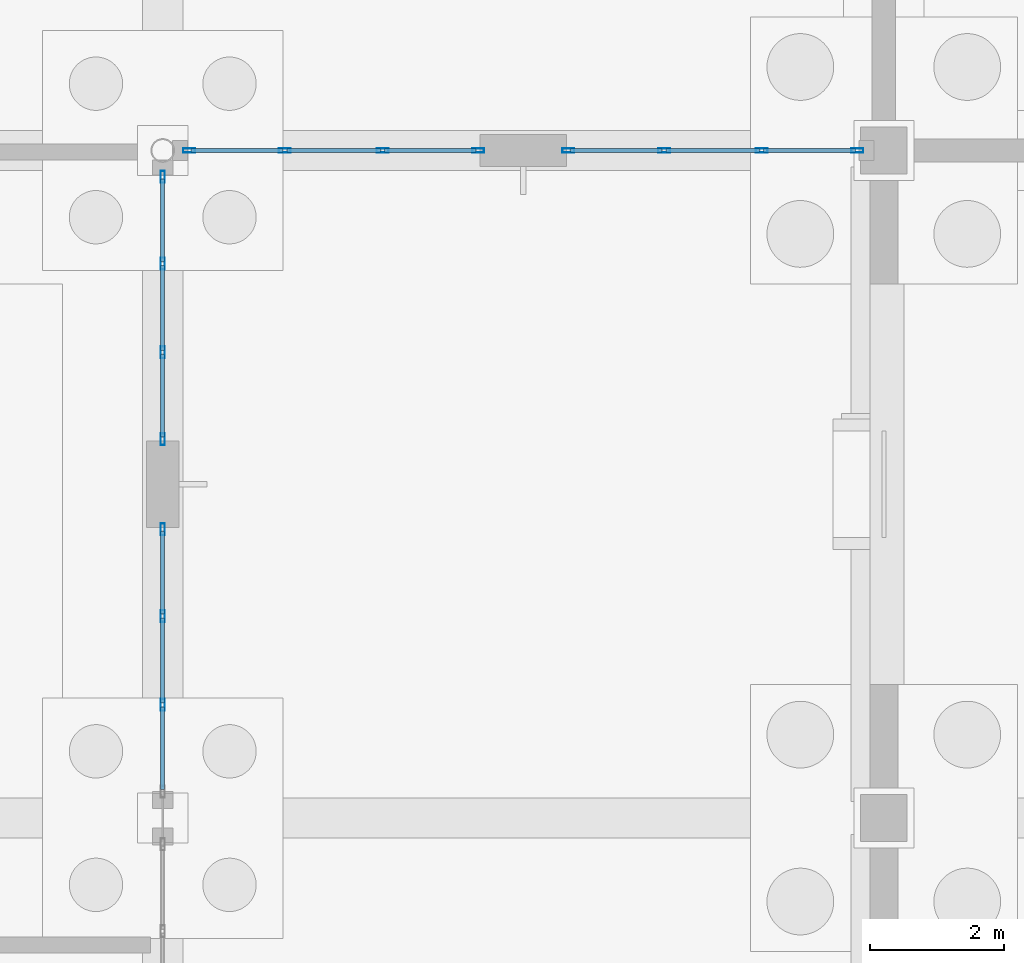
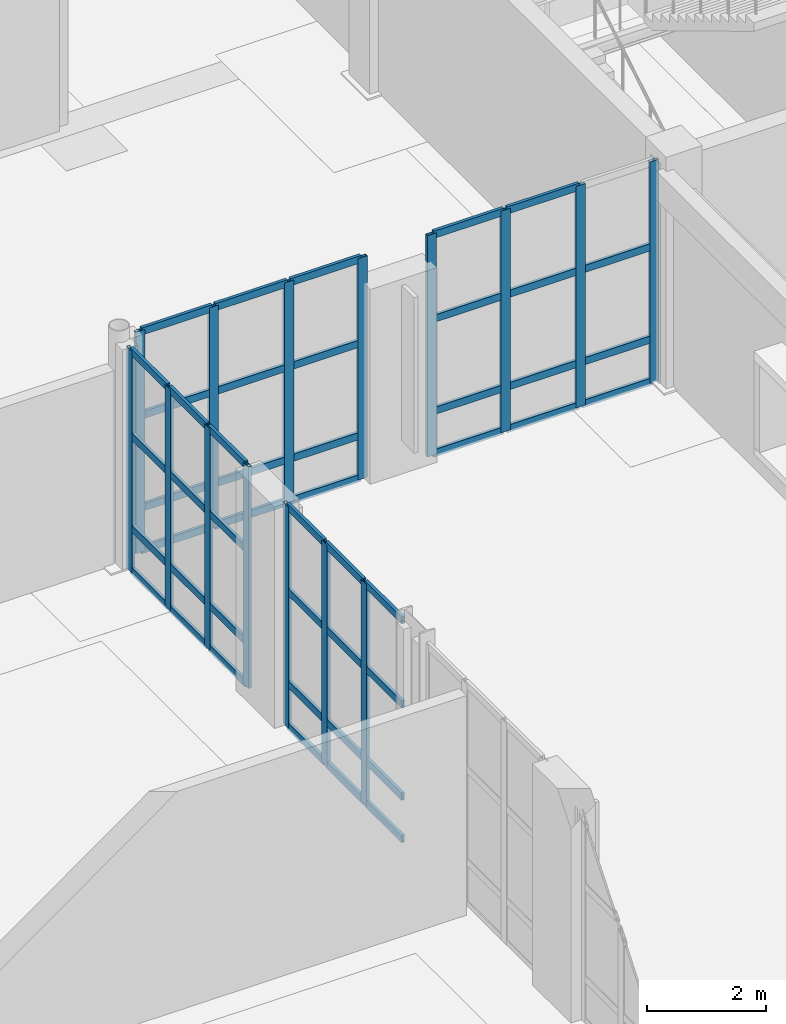
# One storey, part 33 of 73: 62 members, 4 elements without a shape of their own.
"""IFC4 building model written with IfcOpenShell, lengths in metres."""

from ifc_helpers import new_model, si_unit, direction, frame, origin, origin_2d, place, context, subcontext, project, spatial, hollow_rectangle, extrude, material, layer, layer_set, material_profile, profile_set, type_object, element, aggregate, save


model = new_model("IFC4")

# Units and contexts
model_context = context("Model", 3, precision=1e-05, world=origin(), true_north=direction((0.0, 1.0)))
body_context = subcontext(model_context, "Body", "Model", "MODEL_VIEW")
ifc_project = project(units=[si_unit("LENGTHUNIT", "METRE"), si_unit("AREAUNIT", "SQUARE_METRE"), si_unit("VOLUMEUNIT", "CUBIC_METRE"), si_unit("PLANEANGLEUNIT", "RADIAN"), si_unit("MASSUNIT", "GRAM", prefix="KILO")], contexts=[model_context])

# Site, building, storey
site_placement = place(None, origin())
site = spatial("IfcSite", under=ifc_project, at=site_placement, CompositionType="ELEMENT")
building_placement = place(site_placement, origin())
building = spatial("IfcBuilding", under=site, at=building_placement, Name="Tasgan Crest Museum", CompositionType="ELEMENT")
storey_placement = place(building_placement, origin())
storey = spatial("IfcBuildingStorey", under=building, at=storey_placement, Name="L00", CompositionType="ELEMENT", Elevation=0.0)

# Curtain wall, members
ifc_material_1 = material(Name="Triple-Glazed Aluminium Curtain Wall", Category="aluminium")
ifc_layer_1 = layer(ifc_material_1, 0.179931640625, Name="CW-PORCH-Y")
ifc_layer_set_1 = layer_set([ifc_layer_1], Name="Triple-Glazed Aluminium Curtain Wall")
curtain_wall_type_1 = type_object("IfcCurtainWallType", Name="CW-PORCH-Y", PredefinedType="NOTDEFINED", material=ifc_layer_set_1)
curtain_wall_1_placement = place(storey_placement, origin())
curtain_wall_1 = element("IfcCurtainWall", 1, at=curtain_wall_1_placement, inside=storey, type_object=curtain_wall_type_1, Name="Curtain wall L00 009", PredefinedType="NOTDEFINED")
ifc_material_2 = material(Name="Anodised Aluminium", Category="aluminium")
ifc_material_profile_1 = material_profile(ifc_material_2, hollow_rectangle(XDim=0.06494140625, YDim=0.179931640625, WallThickness=0.0048828125, at=origin_2d()), Name="ALU MULLION 180x65x5")
ifc_profile_set_1 = profile_set([ifc_material_profile_1], Name="Anodised Aluminium")
member_type_1 = type_object("IfcMemberType", Name="CW-MULLION-180", PredefinedType="MULLION", material=ifc_profile_set_1)
member_1_placement = place(storey_placement, frame((97.199951171875, 31.695068359375, 0.0), z_axis=(0.0, 0.0, 1.0), x_axis=(-1.0, 0.0, 0.0)))
member_1 = element("IfcMember", 2, at=member_1_placement, type_object=member_type_1, Name="CW02 mullion 2", PredefinedType="MULLION", context=body_context, shape_type="SweptSolid", body=[
    extrude(hollow_rectangle(XDim=0.06494140625, YDim=0.179931640625, WallThickness=0.0048828125, at=origin_2d()), origin(), (0.0, 0.0, 1.0), 4.56005859375),
])
member_2_placement = place(storey_placement, frame((97.199951171875, 33.02490234375, 0.0), z_axis=(0.0, 0.0, 1.0), x_axis=(-1.0, 0.0, 0.0)))
member_2 = element("IfcMember", 3, at=member_2_placement, type_object=member_type_1, Name="CW02 mullion 3", PredefinedType="MULLION", context=body_context, shape_type="SweptSolid", body=[
    extrude(hollow_rectangle(XDim=0.06494140625, YDim=0.179931640625, WallThickness=0.0048828125, at=origin_2d()), origin(), (0.0, 0.0, 1.0), 4.56005859375),
])
member_3_placement = place(storey_placement, frame((97.199951171875, 34.324951171875, 0.0), z_axis=(0.0, 0.0, 1.0), x_axis=(-1.0, 0.0, 0.0)))
member_3 = element("IfcMember", 4, at=member_3_placement, type_object=member_type_1, Name="CW02 mullion 4", PredefinedType="MULLION", context=body_context, shape_type="SweptSolid", body=[
    extrude(hollow_rectangle(XDim=0.06494140625, YDim=0.179931640625, WallThickness=0.0048828125, at=origin_2d()), origin(), (0.0, 0.0, 1.0), 4.56005859375),
])

curtain_wall_2_placement = place(storey_placement, origin())
curtain_wall_2 = element("IfcCurtainWall", 5, at=curtain_wall_2_placement, inside=storey, type_object=curtain_wall_type_1, Name="Curtain wall L00 010", PredefinedType="NOTDEFINED")
member_4_placement = place(storey_placement, frame((97.199951171875, 35.675048828125, 0.0), z_axis=(0.0, 0.0, 1.0), x_axis=(-1.0, 0.0, 0.0)))
member_4 = element("IfcMember", 6, at=member_4_placement, type_object=member_type_1, Name="CW02 mullion 1", PredefinedType="MULLION", context=body_context, shape_type="SweptSolid", body=[
    extrude(hollow_rectangle(XDim=0.06494140625, YDim=0.179931640625, WallThickness=0.0048828125, at=origin_2d()), origin(), (0.0, 0.0, 1.0), 4.56005859375),
])
member_5_placement = place(storey_placement, frame((97.199951171875, 36.97509765625, 0.0), z_axis=(0.0, 0.0, 1.0), x_axis=(-1.0, 0.0, 0.0)))
member_5 = element("IfcMember", 7, at=member_5_placement, type_object=member_type_1, Name="CW02 mullion 2", PredefinedType="MULLION", context=body_context, shape_type="SweptSolid", body=[
    extrude(hollow_rectangle(XDim=0.06494140625, YDim=0.179931640625, WallThickness=0.0048828125, at=origin_2d()), origin(), (0.0, 0.0, 1.0), 4.56005859375),
])
member_6_placement = place(storey_placement, frame((97.199951171875, 38.304931640625, 0.0), z_axis=(0.0, 0.0, 1.0), x_axis=(-1.0, 0.0, 0.0)))
member_6 = element("IfcMember", 8, at=member_6_placement, type_object=member_type_1, Name="CW02 mullion 3", PredefinedType="MULLION", context=body_context, shape_type="SweptSolid", body=[
    extrude(hollow_rectangle(XDim=0.06494140625, YDim=0.179931640625, WallThickness=0.0048828125, at=origin_2d()), origin(), (0.0, 0.0, 1.0), 4.56005859375),
])
member_7_placement = place(storey_placement, frame((97.199951171875, 39.60498046875, 0.0), z_axis=(0.0, 0.0, 1.0), x_axis=(-1.0, 0.0, 0.0)))
member_7 = element("IfcMember", 9, at=member_7_placement, type_object=member_type_1, Name="CW02 mullion 4", PredefinedType="MULLION", context=body_context, shape_type="SweptSolid", body=[
    extrude(hollow_rectangle(XDim=0.06494140625, YDim=0.179931640625, WallThickness=0.0048828125, at=origin_2d()), origin(), (0.0, 0.0, 1.0), 4.56005859375),
])

ifc_material_3 = material(Name="Triple-Glazed Aluminium Curtain Wall", Category="aluminium")
ifc_layer_2 = layer(ifc_material_3, 0.179931640625, Name="CW-DRUM-X-48")
ifc_layer_set_2 = layer_set([ifc_layer_2], Name="Triple-Glazed Aluminium Curtain Wall")
curtain_wall_type_2 = type_object("IfcCurtainWallType", Name="CW-DRUM-X-48", PredefinedType="NOTDEFINED", material=ifc_layer_set_2)
curtain_wall_3_placement = place(storey_placement, origin())
curtain_wall_3 = element("IfcCurtainWall", 10, at=curtain_wall_3_placement, inside=storey, type_object=curtain_wall_type_2, Name="Curtain wall L00 011", PredefinedType="NOTDEFINED")
member_8_placement = place(storey_placement, frame((97.594970703125, 40.0, 0.0), z_axis=(0.0, 0.0, 1.0), x_axis=(0.0, 1.0, 0.0)))
member_8 = element("IfcMember", 11, at=member_8_placement, type_object=member_type_1, Name="CW03 mullion 1", PredefinedType="MULLION", context=body_context, shape_type="SweptSolid", body=[
    extrude(hollow_rectangle(XDim=0.06494140625, YDim=0.179931640625, WallThickness=0.0048828125, at=origin_2d()), origin(), (0.0, 0.0, 1.0), 4.56005859375),
])
member_9_placement = place(storey_placement, frame((99.0283203125, 40.0, 0.0), z_axis=(0.0, 0.0, 1.0), x_axis=(0.0, 1.0, 0.0)))
member_9 = element("IfcMember", 12, at=member_9_placement, type_object=member_type_1, Name="CW03 mullion 2", PredefinedType="MULLION", context=body_context, shape_type="SweptSolid", body=[
    extrude(hollow_rectangle(XDim=0.06494140625, YDim=0.179931640625, WallThickness=0.0048828125, at=origin_2d()), origin(), (0.0, 0.0, 1.0), 4.56005859375),
])
member_10_placement = place(storey_placement, frame((100.49169921875, 40.0, 0.0), z_axis=(0.0, 0.0, 1.0), x_axis=(0.0, 1.0, 0.0)))
member_10 = element("IfcMember", 13, at=member_10_placement, type_object=member_type_1, Name="CW03 mullion 3", PredefinedType="MULLION", context=body_context, shape_type="SweptSolid", body=[
    extrude(hollow_rectangle(XDim=0.06494140625, YDim=0.179931640625, WallThickness=0.0048828125, at=origin_2d()), origin(), (0.0, 0.0, 1.0), 4.56005859375),
])
member_11_placement = place(storey_placement, frame((101.925048828125, 40.0, 0.0), z_axis=(0.0, 0.0, 1.0), x_axis=(0.0, 1.0, 0.0)))
member_11 = element("IfcMember", 14, at=member_11_placement, type_object=member_type_1, Name="CW03 mullion 4", PredefinedType="MULLION", context=body_context, shape_type="SweptSolid", body=[
    extrude(hollow_rectangle(XDim=0.06494140625, YDim=0.179931640625, WallThickness=0.0048828125, at=origin_2d()), origin(), (0.0, 0.0, 1.0), 4.56005859375),
])

curtain_wall_4_placement = place(storey_placement, origin())
curtain_wall_4 = element("IfcCurtainWall", 15, at=curtain_wall_4_placement, inside=storey, type_object=curtain_wall_type_2, Name="Curtain wall L00 012", PredefinedType="NOTDEFINED")
member_12_placement = place(storey_placement, frame((103.27490234375, 40.0, 0.0), z_axis=(0.0, 0.0, 1.0), x_axis=(0.0, 1.0, 0.0)))
member_12 = element("IfcMember", 16, at=member_12_placement, type_object=member_type_1, Name="CW03 mullion 1", PredefinedType="MULLION", context=body_context, shape_type="SweptSolid", body=[
    extrude(hollow_rectangle(XDim=0.06494140625, YDim=0.179931640625, WallThickness=0.0048828125, at=origin_2d()), origin(), (0.0, 0.0, 1.0), 4.56005859375),
])
member_13_placement = place(storey_placement, frame((104.708251953125, 40.0, 0.0), z_axis=(0.0, 0.0, 1.0), x_axis=(0.0, 1.0, 0.0)))
member_13 = element("IfcMember", 17, at=member_13_placement, type_object=member_type_1, Name="CW03 mullion 2", PredefinedType="MULLION", context=body_context, shape_type="SweptSolid", body=[
    extrude(hollow_rectangle(XDim=0.06494140625, YDim=0.179931640625, WallThickness=0.0048828125, at=origin_2d()), origin(), (0.0, 0.0, 1.0), 4.56005859375),
])
member_14_placement = place(storey_placement, frame((106.171630859375, 40.0, 0.0), z_axis=(0.0, 0.0, 1.0), x_axis=(0.0, 1.0, 0.0)))
member_14 = element("IfcMember", 18, at=member_14_placement, type_object=member_type_1, Name="CW03 mullion 3", PredefinedType="MULLION", context=body_context, shape_type="SweptSolid", body=[
    extrude(hollow_rectangle(XDim=0.06494140625, YDim=0.179931640625, WallThickness=0.0048828125, at=origin_2d()), origin(), (0.0, 0.0, 1.0), 4.56005859375),
])
member_15_placement = place(storey_placement, frame((107.60498046875, 40.0, 0.0), z_axis=(0.0, 0.0, 1.0), x_axis=(0.0, 1.0, 0.0)))
member_15 = element("IfcMember", 19, at=member_15_placement, type_object=member_type_1, Name="CW03 mullion 4", PredefinedType="MULLION", context=body_context, shape_type="SweptSolid", body=[
    extrude(hollow_rectangle(XDim=0.06494140625, YDim=0.179931640625, WallThickness=0.0048828125, at=origin_2d()), origin(), (0.0, 0.0, 1.0), 4.56005859375),
])

# Member
ifc_material_4 = material(Name="Anodised Aluminium", Category="aluminium")
ifc_material_profile_2 = material_profile(ifc_material_4, hollow_rectangle(XDim=0.06005859375, YDim=0.14990234375, WallThickness=0.0048828125, at=origin_2d()), Name="ALU TRANSOM 150x60x5")
ifc_profile_set_2 = profile_set([ifc_material_profile_2], Name="Anodised Aluminium")
member_type_2 = type_object("IfcMemberType", Name="CW-TRANSOM-150", PredefinedType="USERDEFINED", material=ifc_profile_set_2)
member_16_placement = place(storey_placement, frame((97.199951171875, 30.425048828125, 0.030029296875), z_axis=(0.0, 1.0, 0.0), x_axis=(-1.0, 0.0, 0.0)))
member_16 = element("IfcMember", 20, at=member_16_placement, type_object=member_type_2, Name="CW02 transom 1.1", ObjectType="TRANSOM", PredefinedType="USERDEFINED", context=body_context, shape_type="SweptSolid", body=[
    extrude(hollow_rectangle(XDim=0.06005859375, YDim=0.14990234375, WallThickness=0.0048828125, at=origin_2d()), origin(), (0.0, 0.0, 1.0), 1.239990234375),
])

member_17_placement = place(storey_placement, frame((97.199951171875, 30.425048828125, 0.89990234375), z_axis=(0.0, 1.0, 0.0), x_axis=(-1.0, 0.0, 0.0)))
member_17 = element("IfcMember", 21, at=member_17_placement, type_object=member_type_2, Name="CW02 transom 1.2", ObjectType="TRANSOM", PredefinedType="USERDEFINED", context=body_context, shape_type="SweptSolid", body=[
    extrude(hollow_rectangle(XDim=0.06005859375, YDim=0.14990234375, WallThickness=0.0048828125, at=origin_2d()), origin(), (0.0, 0.0, 1.0), 1.239990234375),
])

member_18_placement = place(storey_placement, frame((97.199951171875, 30.425048828125, 2.800048828125), z_axis=(0.0, 1.0, 0.0), x_axis=(-1.0, 0.0, 0.0)))
member_18 = element("IfcMember", 22, at=member_18_placement, type_object=member_type_2, Name="CW02 transom 1.3", ObjectType="TRANSOM", PredefinedType="USERDEFINED", context=body_context, shape_type="SweptSolid", body=[
    extrude(hollow_rectangle(XDim=0.06005859375, YDim=0.14990234375, WallThickness=0.0048828125, at=origin_2d()), origin(), (0.0, 0.0, 1.0), 1.239990234375),
])

member_19_placement = place(storey_placement, frame((97.199951171875, 30.425048828125, 4.530029296875), z_axis=(0.0, 1.0, 0.0), x_axis=(-1.0, 0.0, 0.0)))
member_19 = element("IfcMember", 23, at=member_19_placement, type_object=member_type_2, Name="CW02 transom 1.4", ObjectType="TRANSOM", PredefinedType="USERDEFINED", context=body_context, shape_type="SweptSolid", body=[
    extrude(hollow_rectangle(XDim=0.06005859375, YDim=0.14990234375, WallThickness=0.0048828125, at=origin_2d()), origin(), (0.0, 0.0, 1.0), 1.239990234375),
])

member_20_placement = place(storey_placement, frame((97.199951171875, 31.72509765625, 0.030029296875), z_axis=(0.0, 1.0, 0.0), x_axis=(-1.0, 0.0, 0.0)))
member_20 = element("IfcMember", 24, at=member_20_placement, type_object=member_type_2, Name="CW02 transom 2.1", ObjectType="TRANSOM", PredefinedType="USERDEFINED", context=body_context, shape_type="SweptSolid", body=[
    extrude(hollow_rectangle(XDim=0.06005859375, YDim=0.14990234375, WallThickness=0.0048828125, at=origin_2d()), origin(), (0.0, 0.0, 1.0), 1.27001953125),
])

member_21_placement = place(storey_placement, frame((97.199951171875, 31.72509765625, 0.89990234375), z_axis=(0.0, 1.0, 0.0), x_axis=(-1.0, 0.0, 0.0)))
member_21 = element("IfcMember", 25, at=member_21_placement, type_object=member_type_2, Name="CW02 transom 2.2", ObjectType="TRANSOM", PredefinedType="USERDEFINED", context=body_context, shape_type="SweptSolid", body=[
    extrude(hollow_rectangle(XDim=0.06005859375, YDim=0.14990234375, WallThickness=0.0048828125, at=origin_2d()), origin(), (0.0, 0.0, 1.0), 1.27001953125),
])

member_22_placement = place(storey_placement, frame((97.199951171875, 31.72509765625, 2.800048828125), z_axis=(0.0, 1.0, 0.0), x_axis=(-1.0, 0.0, 0.0)))
member_22 = element("IfcMember", 26, at=member_22_placement, type_object=member_type_2, Name="CW02 transom 2.3", ObjectType="TRANSOM", PredefinedType="USERDEFINED", context=body_context, shape_type="SweptSolid", body=[
    extrude(hollow_rectangle(XDim=0.06005859375, YDim=0.14990234375, WallThickness=0.0048828125, at=origin_2d()), origin(), (0.0, 0.0, 1.0), 1.27001953125),
])

member_23_placement = place(storey_placement, frame((97.199951171875, 31.72509765625, 4.530029296875), z_axis=(0.0, 1.0, 0.0), x_axis=(-1.0, 0.0, 0.0)))
member_23 = element("IfcMember", 27, at=member_23_placement, type_object=member_type_2, Name="CW02 transom 2.4", ObjectType="TRANSOM", PredefinedType="USERDEFINED", context=body_context, shape_type="SweptSolid", body=[
    extrude(hollow_rectangle(XDim=0.06005859375, YDim=0.14990234375, WallThickness=0.0048828125, at=origin_2d()), origin(), (0.0, 0.0, 1.0), 1.27001953125),
])

member_24_placement = place(storey_placement, frame((97.199951171875, 33.054931640625, 0.030029296875), z_axis=(0.0, 1.0, 0.0), x_axis=(-1.0, 0.0, 0.0)))
member_24 = element("IfcMember", 28, at=member_24_placement, type_object=member_type_2, Name="CW02 transom 3.1", ObjectType="TRANSOM", PredefinedType="USERDEFINED", context=body_context, shape_type="SweptSolid", body=[
    extrude(hollow_rectangle(XDim=0.06005859375, YDim=0.14990234375, WallThickness=0.0048828125, at=origin_2d()), origin(), (0.0, 0.0, 1.0), 1.239990234375),
])

member_25_placement = place(storey_placement, frame((97.199951171875, 33.054931640625, 0.89990234375), z_axis=(0.0, 1.0, 0.0), x_axis=(-1.0, 0.0, 0.0)))
member_25 = element("IfcMember", 29, at=member_25_placement, type_object=member_type_2, Name="CW02 transom 3.2", ObjectType="TRANSOM", PredefinedType="USERDEFINED", context=body_context, shape_type="SweptSolid", body=[
    extrude(hollow_rectangle(XDim=0.06005859375, YDim=0.14990234375, WallThickness=0.0048828125, at=origin_2d()), origin(), (0.0, 0.0, 1.0), 1.239990234375),
])

member_26_placement = place(storey_placement, frame((97.199951171875, 33.054931640625, 2.800048828125), z_axis=(0.0, 1.0, 0.0), x_axis=(-1.0, 0.0, 0.0)))
member_26 = element("IfcMember", 30, at=member_26_placement, type_object=member_type_2, Name="CW02 transom 3.3", ObjectType="TRANSOM", PredefinedType="USERDEFINED", context=body_context, shape_type="SweptSolid", body=[
    extrude(hollow_rectangle(XDim=0.06005859375, YDim=0.14990234375, WallThickness=0.0048828125, at=origin_2d()), origin(), (0.0, 0.0, 1.0), 1.239990234375),
])

member_27_placement = place(storey_placement, frame((97.199951171875, 33.054931640625, 4.530029296875), z_axis=(0.0, 1.0, 0.0), x_axis=(-1.0, 0.0, 0.0)))
member_27 = element("IfcMember", 31, at=member_27_placement, type_object=member_type_2, Name="CW02 transom 3.4", ObjectType="TRANSOM", PredefinedType="USERDEFINED", context=body_context, shape_type="SweptSolid", body=[
    extrude(hollow_rectangle(XDim=0.06005859375, YDim=0.14990234375, WallThickness=0.0048828125, at=origin_2d()), origin(), (0.0, 0.0, 1.0), 1.239990234375),
])

aggregate(curtain_wall_1, [member_1, member_2, member_3, member_16, member_17, member_18, member_19, member_20, member_21, member_22, member_23, member_24, member_25, member_26, member_27])

member_28_placement = place(storey_placement, frame((97.199951171875, 35.705078125, 0.030029296875), z_axis=(0.0, 1.0, 0.0), x_axis=(-1.0, 0.0, 0.0)))
member_28 = element("IfcMember", 32, at=member_28_placement, type_object=member_type_2, Name="CW02 transom 1.1", ObjectType="TRANSOM", PredefinedType="USERDEFINED", context=body_context, shape_type="SweptSolid", body=[
    extrude(hollow_rectangle(XDim=0.06005859375, YDim=0.14990234375, WallThickness=0.0048828125, at=origin_2d()), origin(), (0.0, 0.0, 1.0), 1.239990234375),
])

member_29_placement = place(storey_placement, frame((97.199951171875, 35.705078125, 0.89990234375), z_axis=(0.0, 1.0, 0.0), x_axis=(-1.0, 0.0, 0.0)))
member_29 = element("IfcMember", 33, at=member_29_placement, type_object=member_type_2, Name="CW02 transom 1.2", ObjectType="TRANSOM", PredefinedType="USERDEFINED", context=body_context, shape_type="SweptSolid", body=[
    extrude(hollow_rectangle(XDim=0.06005859375, YDim=0.14990234375, WallThickness=0.0048828125, at=origin_2d()), origin(), (0.0, 0.0, 1.0), 1.239990234375),
])

member_30_placement = place(storey_placement, frame((97.199951171875, 35.705078125, 2.800048828125), z_axis=(0.0, 1.0, 0.0), x_axis=(-1.0, 0.0, 0.0)))
member_30 = element("IfcMember", 34, at=member_30_placement, type_object=member_type_2, Name="CW02 transom 1.3", ObjectType="TRANSOM", PredefinedType="USERDEFINED", context=body_context, shape_type="SweptSolid", body=[
    extrude(hollow_rectangle(XDim=0.06005859375, YDim=0.14990234375, WallThickness=0.0048828125, at=origin_2d()), origin(), (0.0, 0.0, 1.0), 1.239990234375),
])

member_31_placement = place(storey_placement, frame((97.199951171875, 35.705078125, 4.530029296875), z_axis=(0.0, 1.0, 0.0), x_axis=(-1.0, 0.0, 0.0)))
member_31 = element("IfcMember", 35, at=member_31_placement, type_object=member_type_2, Name="CW02 transom 1.4", ObjectType="TRANSOM", PredefinedType="USERDEFINED", context=body_context, shape_type="SweptSolid", body=[
    extrude(hollow_rectangle(XDim=0.06005859375, YDim=0.14990234375, WallThickness=0.0048828125, at=origin_2d()), origin(), (0.0, 0.0, 1.0), 1.239990234375),
])

member_32_placement = place(storey_placement, frame((97.199951171875, 37.0048828125, 0.030029296875), z_axis=(0.0, 1.0, 0.0), x_axis=(-1.0, 0.0, 0.0)))
member_32 = element("IfcMember", 36, at=member_32_placement, type_object=member_type_2, Name="CW02 transom 2.1", ObjectType="TRANSOM", PredefinedType="USERDEFINED", context=body_context, shape_type="SweptSolid", body=[
    extrude(hollow_rectangle(XDim=0.06005859375, YDim=0.14990234375, WallThickness=0.0048828125, at=origin_2d()), origin(), (0.0, 0.0, 1.0), 1.27001953125),
])

member_33_placement = place(storey_placement, frame((97.199951171875, 37.0048828125, 0.89990234375), z_axis=(0.0, 1.0, 0.0), x_axis=(-1.0, 0.0, 0.0)))
member_33 = element("IfcMember", 37, at=member_33_placement, type_object=member_type_2, Name="CW02 transom 2.2", ObjectType="TRANSOM", PredefinedType="USERDEFINED", context=body_context, shape_type="SweptSolid", body=[
    extrude(hollow_rectangle(XDim=0.06005859375, YDim=0.14990234375, WallThickness=0.0048828125, at=origin_2d()), origin(), (0.0, 0.0, 1.0), 1.27001953125),
])

member_34_placement = place(storey_placement, frame((97.199951171875, 37.0048828125, 2.800048828125), z_axis=(0.0, 1.0, 0.0), x_axis=(-1.0, 0.0, 0.0)))
member_34 = element("IfcMember", 38, at=member_34_placement, type_object=member_type_2, Name="CW02 transom 2.3", ObjectType="TRANSOM", PredefinedType="USERDEFINED", context=body_context, shape_type="SweptSolid", body=[
    extrude(hollow_rectangle(XDim=0.06005859375, YDim=0.14990234375, WallThickness=0.0048828125, at=origin_2d()), origin(), (0.0, 0.0, 1.0), 1.27001953125),
])

member_35_placement = place(storey_placement, frame((97.199951171875, 37.0048828125, 4.530029296875), z_axis=(0.0, 1.0, 0.0), x_axis=(-1.0, 0.0, 0.0)))
member_35 = element("IfcMember", 39, at=member_35_placement, type_object=member_type_2, Name="CW02 transom 2.4", ObjectType="TRANSOM", PredefinedType="USERDEFINED", context=body_context, shape_type="SweptSolid", body=[
    extrude(hollow_rectangle(XDim=0.06005859375, YDim=0.14990234375, WallThickness=0.0048828125, at=origin_2d()), origin(), (0.0, 0.0, 1.0), 1.27001953125),
])

member_36_placement = place(storey_placement, frame((97.199951171875, 38.3349609375, 0.030029296875), z_axis=(0.0, 1.0, 0.0), x_axis=(-1.0, 0.0, 0.0)))
member_36 = element("IfcMember", 40, at=member_36_placement, type_object=member_type_2, Name="CW02 transom 3.1", ObjectType="TRANSOM", PredefinedType="USERDEFINED", context=body_context, shape_type="SweptSolid", body=[
    extrude(hollow_rectangle(XDim=0.06005859375, YDim=0.14990234375, WallThickness=0.0048828125, at=origin_2d()), origin(), (0.0, 0.0, 1.0), 1.239990234375),
])

member_37_placement = place(storey_placement, frame((97.199951171875, 38.3349609375, 0.89990234375), z_axis=(0.0, 1.0, 0.0), x_axis=(-1.0, 0.0, 0.0)))
member_37 = element("IfcMember", 41, at=member_37_placement, type_object=member_type_2, Name="CW02 transom 3.2", ObjectType="TRANSOM", PredefinedType="USERDEFINED", context=body_context, shape_type="SweptSolid", body=[
    extrude(hollow_rectangle(XDim=0.06005859375, YDim=0.14990234375, WallThickness=0.0048828125, at=origin_2d()), origin(), (0.0, 0.0, 1.0), 1.239990234375),
])

member_38_placement = place(storey_placement, frame((97.199951171875, 38.3349609375, 2.800048828125), z_axis=(0.0, 1.0, 0.0), x_axis=(-1.0, 0.0, 0.0)))
member_38 = element("IfcMember", 42, at=member_38_placement, type_object=member_type_2, Name="CW02 transom 3.3", ObjectType="TRANSOM", PredefinedType="USERDEFINED", context=body_context, shape_type="SweptSolid", body=[
    extrude(hollow_rectangle(XDim=0.06005859375, YDim=0.14990234375, WallThickness=0.0048828125, at=origin_2d()), origin(), (0.0, 0.0, 1.0), 1.239990234375),
])

member_39_placement = place(storey_placement, frame((97.199951171875, 38.3349609375, 4.530029296875), z_axis=(0.0, 1.0, 0.0), x_axis=(-1.0, 0.0, 0.0)))
member_39 = element("IfcMember", 43, at=member_39_placement, type_object=member_type_2, Name="CW02 transom 3.4", ObjectType="TRANSOM", PredefinedType="USERDEFINED", context=body_context, shape_type="SweptSolid", body=[
    extrude(hollow_rectangle(XDim=0.06005859375, YDim=0.14990234375, WallThickness=0.0048828125, at=origin_2d()), origin(), (0.0, 0.0, 1.0), 1.239990234375),
])

aggregate(curtain_wall_2, [member_4, member_5, member_6, member_7, member_28, member_29, member_30, member_31, member_32, member_33, member_34, member_35, member_36, member_37, member_38, member_39])

member_40_placement = place(storey_placement, frame((97.625, 40.0, 0.030029296875), z_axis=(1.0, 0.0, 0.0), x_axis=(0.0, 1.0, 0.0)))
member_40 = element("IfcMember", 44, at=member_40_placement, type_object=member_type_2, Name="CW03 transom 1.1", ObjectType="TRANSOM", PredefinedType="USERDEFINED", context=body_context, shape_type="SweptSolid", body=[
    extrude(hollow_rectangle(XDim=0.06005859375, YDim=0.14990234375, WallThickness=0.0048828125, at=origin_2d()), origin(), (0.0, 0.0, 1.0), 1.373291015625),
])

member_41_placement = place(storey_placement, frame((97.625, 40.0, 0.89990234375), z_axis=(1.0, 0.0, 0.0), x_axis=(0.0, 1.0, 0.0)))
member_41 = element("IfcMember", 45, at=member_41_placement, type_object=member_type_2, Name="CW03 transom 1.2", ObjectType="TRANSOM", PredefinedType="USERDEFINED", context=body_context, shape_type="SweptSolid", body=[
    extrude(hollow_rectangle(XDim=0.06005859375, YDim=0.14990234375, WallThickness=0.0048828125, at=origin_2d()), origin(), (0.0, 0.0, 1.0), 1.373291015625),
])

member_42_placement = place(storey_placement, frame((97.625, 40.0, 2.800048828125), z_axis=(1.0, 0.0, 0.0), x_axis=(0.0, 1.0, 0.0)))
member_42 = element("IfcMember", 46, at=member_42_placement, type_object=member_type_2, Name="CW03 transom 1.3", ObjectType="TRANSOM", PredefinedType="USERDEFINED", context=body_context, shape_type="SweptSolid", body=[
    extrude(hollow_rectangle(XDim=0.06005859375, YDim=0.14990234375, WallThickness=0.0048828125, at=origin_2d()), origin(), (0.0, 0.0, 1.0), 1.373291015625),
])

member_43_placement = place(storey_placement, frame((97.625, 40.0, 4.530029296875), z_axis=(1.0, 0.0, 0.0), x_axis=(0.0, 1.0, 0.0)))
member_43 = element("IfcMember", 47, at=member_43_placement, type_object=member_type_2, Name="CW03 transom 1.4", ObjectType="TRANSOM", PredefinedType="USERDEFINED", context=body_context, shape_type="SweptSolid", body=[
    extrude(hollow_rectangle(XDim=0.06005859375, YDim=0.14990234375, WallThickness=0.0048828125, at=origin_2d()), origin(), (0.0, 0.0, 1.0), 1.373291015625),
])

member_44_placement = place(storey_placement, frame((99.058349609375, 40.0, 0.030029296875), z_axis=(1.0, 0.0, 0.0), x_axis=(0.0, 1.0, 0.0)))
member_44 = element("IfcMember", 48, at=member_44_placement, type_object=member_type_2, Name="CW03 transom 2.1", ObjectType="TRANSOM", PredefinedType="USERDEFINED", context=body_context, shape_type="SweptSolid", body=[
    extrude(hollow_rectangle(XDim=0.06005859375, YDim=0.14990234375, WallThickness=0.0048828125, at=origin_2d()), origin(), (0.0, 0.0, 1.0), 1.4033203125),
])

member_45_placement = place(storey_placement, frame((99.058349609375, 40.0, 0.89990234375), z_axis=(1.0, 0.0, 0.0), x_axis=(0.0, 1.0, 0.0)))
member_45 = element("IfcMember", 49, at=member_45_placement, type_object=member_type_2, Name="CW03 transom 2.2", ObjectType="TRANSOM", PredefinedType="USERDEFINED", context=body_context, shape_type="SweptSolid", body=[
    extrude(hollow_rectangle(XDim=0.06005859375, YDim=0.14990234375, WallThickness=0.0048828125, at=origin_2d()), origin(), (0.0, 0.0, 1.0), 1.4033203125),
])

member_46_placement = place(storey_placement, frame((99.058349609375, 40.0, 2.800048828125), z_axis=(1.0, 0.0, 0.0), x_axis=(0.0, 1.0, 0.0)))
member_46 = element("IfcMember", 50, at=member_46_placement, type_object=member_type_2, Name="CW03 transom 2.3", ObjectType="TRANSOM", PredefinedType="USERDEFINED", context=body_context, shape_type="SweptSolid", body=[
    extrude(hollow_rectangle(XDim=0.06005859375, YDim=0.14990234375, WallThickness=0.0048828125, at=origin_2d()), origin(), (0.0, 0.0, 1.0), 1.4033203125),
])

member_47_placement = place(storey_placement, frame((99.058349609375, 40.0, 4.530029296875), z_axis=(1.0, 0.0, 0.0), x_axis=(0.0, 1.0, 0.0)))
member_47 = element("IfcMember", 51, at=member_47_placement, type_object=member_type_2, Name="CW03 transom 2.4", ObjectType="TRANSOM", PredefinedType="USERDEFINED", context=body_context, shape_type="SweptSolid", body=[
    extrude(hollow_rectangle(XDim=0.06005859375, YDim=0.14990234375, WallThickness=0.0048828125, at=origin_2d()), origin(), (0.0, 0.0, 1.0), 1.4033203125),
])

member_48_placement = place(storey_placement, frame((100.521728515625, 40.0, 0.030029296875), z_axis=(1.0, 0.0, 0.0), x_axis=(0.0, 1.0, 0.0)))
member_48 = element("IfcMember", 52, at=member_48_placement, type_object=member_type_2, Name="CW03 transom 3.1", ObjectType="TRANSOM", PredefinedType="USERDEFINED", context=body_context, shape_type="SweptSolid", body=[
    extrude(hollow_rectangle(XDim=0.06005859375, YDim=0.14990234375, WallThickness=0.0048828125, at=origin_2d()), origin(), (0.0, 0.0, 1.0), 1.373291015625),
])

member_49_placement = place(storey_placement, frame((100.521728515625, 40.0, 0.89990234375), z_axis=(1.0, 0.0, 0.0), x_axis=(0.0, 1.0, 0.0)))
member_49 = element("IfcMember", 53, at=member_49_placement, type_object=member_type_2, Name="CW03 transom 3.2", ObjectType="TRANSOM", PredefinedType="USERDEFINED", context=body_context, shape_type="SweptSolid", body=[
    extrude(hollow_rectangle(XDim=0.06005859375, YDim=0.14990234375, WallThickness=0.0048828125, at=origin_2d()), origin(), (0.0, 0.0, 1.0), 1.373291015625),
])

member_50_placement = place(storey_placement, frame((100.521728515625, 40.0, 2.800048828125), z_axis=(1.0, 0.0, 0.0), x_axis=(0.0, 1.0, 0.0)))
member_50 = element("IfcMember", 54, at=member_50_placement, type_object=member_type_2, Name="CW03 transom 3.3", ObjectType="TRANSOM", PredefinedType="USERDEFINED", context=body_context, shape_type="SweptSolid", body=[
    extrude(hollow_rectangle(XDim=0.06005859375, YDim=0.14990234375, WallThickness=0.0048828125, at=origin_2d()), origin(), (0.0, 0.0, 1.0), 1.373291015625),
])

member_51_placement = place(storey_placement, frame((100.521728515625, 40.0, 4.530029296875), z_axis=(1.0, 0.0, 0.0), x_axis=(0.0, 1.0, 0.0)))
member_51 = element("IfcMember", 55, at=member_51_placement, type_object=member_type_2, Name="CW03 transom 3.4", ObjectType="TRANSOM", PredefinedType="USERDEFINED", context=body_context, shape_type="SweptSolid", body=[
    extrude(hollow_rectangle(XDim=0.06005859375, YDim=0.14990234375, WallThickness=0.0048828125, at=origin_2d()), origin(), (0.0, 0.0, 1.0), 1.373291015625),
])

aggregate(curtain_wall_3, [member_8, member_9, member_10, member_11, member_40, member_41, member_42, member_43, member_44, member_45, member_46, member_47, member_48, member_49, member_50, member_51])

member_52_placement = place(storey_placement, frame((103.304931640625, 40.0, 0.030029296875), z_axis=(1.0, 0.0, 0.0), x_axis=(0.0, 1.0, 0.0)))
member_52 = element("IfcMember", 56, at=member_52_placement, type_object=member_type_2, Name="CW03 transom 1.1", ObjectType="TRANSOM", PredefinedType="USERDEFINED", context=body_context, shape_type="SweptSolid", body=[
    extrude(hollow_rectangle(XDim=0.06005859375, YDim=0.14990234375, WallThickness=0.0048828125, at=origin_2d()), origin(), (0.0, 0.0, 1.0), 1.373291015625),
])

member_53_placement = place(storey_placement, frame((103.304931640625, 40.0, 0.89990234375), z_axis=(1.0, 0.0, 0.0), x_axis=(0.0, 1.0, 0.0)))
member_53 = element("IfcMember", 57, at=member_53_placement, type_object=member_type_2, Name="CW03 transom 1.2", ObjectType="TRANSOM", PredefinedType="USERDEFINED", context=body_context, shape_type="SweptSolid", body=[
    extrude(hollow_rectangle(XDim=0.06005859375, YDim=0.14990234375, WallThickness=0.0048828125, at=origin_2d()), origin(), (0.0, 0.0, 1.0), 1.373291015625),
])

member_54_placement = place(storey_placement, frame((103.304931640625, 40.0, 2.800048828125), z_axis=(1.0, 0.0, 0.0), x_axis=(0.0, 1.0, 0.0)))
member_54 = element("IfcMember", 58, at=member_54_placement, type_object=member_type_2, Name="CW03 transom 1.3", ObjectType="TRANSOM", PredefinedType="USERDEFINED", context=body_context, shape_type="SweptSolid", body=[
    extrude(hollow_rectangle(XDim=0.06005859375, YDim=0.14990234375, WallThickness=0.0048828125, at=origin_2d()), origin(), (0.0, 0.0, 1.0), 1.373291015625),
])

member_55_placement = place(storey_placement, frame((103.304931640625, 40.0, 4.530029296875), z_axis=(1.0, 0.0, 0.0), x_axis=(0.0, 1.0, 0.0)))
member_55 = element("IfcMember", 59, at=member_55_placement, type_object=member_type_2, Name="CW03 transom 1.4", ObjectType="TRANSOM", PredefinedType="USERDEFINED", context=body_context, shape_type="SweptSolid", body=[
    extrude(hollow_rectangle(XDim=0.06005859375, YDim=0.14990234375, WallThickness=0.0048828125, at=origin_2d()), origin(), (0.0, 0.0, 1.0), 1.373291015625),
])

member_56_placement = place(storey_placement, frame((104.73828125, 40.0, 0.030029296875), z_axis=(1.0, 0.0, 0.0), x_axis=(0.0, 1.0, 0.0)))
member_56 = element("IfcMember", 60, at=member_56_placement, type_object=member_type_2, Name="CW03 transom 2.1", ObjectType="TRANSOM", PredefinedType="USERDEFINED", context=body_context, shape_type="SweptSolid", body=[
    extrude(hollow_rectangle(XDim=0.06005859375, YDim=0.14990234375, WallThickness=0.0048828125, at=origin_2d()), origin(), (0.0, 0.0, 1.0), 1.4033203125),
])

member_57_placement = place(storey_placement, frame((104.73828125, 40.0, 0.89990234375), z_axis=(1.0, 0.0, 0.0), x_axis=(0.0, 1.0, 0.0)))
member_57 = element("IfcMember", 61, at=member_57_placement, type_object=member_type_2, Name="CW03 transom 2.2", ObjectType="TRANSOM", PredefinedType="USERDEFINED", context=body_context, shape_type="SweptSolid", body=[
    extrude(hollow_rectangle(XDim=0.06005859375, YDim=0.14990234375, WallThickness=0.0048828125, at=origin_2d()), origin(), (0.0, 0.0, 1.0), 1.4033203125),
])

member_58_placement = place(storey_placement, frame((104.73828125, 40.0, 2.800048828125), z_axis=(1.0, 0.0, 0.0), x_axis=(0.0, 1.0, 0.0)))
member_58 = element("IfcMember", 62, at=member_58_placement, type_object=member_type_2, Name="CW03 transom 2.3", ObjectType="TRANSOM", PredefinedType="USERDEFINED", context=body_context, shape_type="SweptSolid", body=[
    extrude(hollow_rectangle(XDim=0.06005859375, YDim=0.14990234375, WallThickness=0.0048828125, at=origin_2d()), origin(), (0.0, 0.0, 1.0), 1.4033203125),
])

member_59_placement = place(storey_placement, frame((104.73828125, 40.0, 4.530029296875), z_axis=(1.0, 0.0, 0.0), x_axis=(0.0, 1.0, 0.0)))
member_59 = element("IfcMember", 63, at=member_59_placement, type_object=member_type_2, Name="CW03 transom 2.4", ObjectType="TRANSOM", PredefinedType="USERDEFINED", context=body_context, shape_type="SweptSolid", body=[
    extrude(hollow_rectangle(XDim=0.06005859375, YDim=0.14990234375, WallThickness=0.0048828125, at=origin_2d()), origin(), (0.0, 0.0, 1.0), 1.4033203125),
])

member_60_placement = place(storey_placement, frame((106.20166015625, 40.0, 0.030029296875), z_axis=(1.0, 0.0, 0.0), x_axis=(0.0, 1.0, 0.0)))
member_60 = element("IfcMember", 64, at=member_60_placement, type_object=member_type_2, Name="CW03 transom 3.1", ObjectType="TRANSOM", PredefinedType="USERDEFINED", context=body_context, shape_type="SweptSolid", body=[
    extrude(hollow_rectangle(XDim=0.06005859375, YDim=0.14990234375, WallThickness=0.0048828125, at=origin_2d()), origin(), (0.0, 0.0, 1.0), 1.373291015625),
])

member_61_placement = place(storey_placement, frame((106.20166015625, 40.0, 0.89990234375), z_axis=(1.0, 0.0, 0.0), x_axis=(0.0, 1.0, 0.0)))
member_61 = element("IfcMember", 65, at=member_61_placement, type_object=member_type_2, Name="CW03 transom 3.2", ObjectType="TRANSOM", PredefinedType="USERDEFINED", context=body_context, shape_type="SweptSolid", body=[
    extrude(hollow_rectangle(XDim=0.06005859375, YDim=0.14990234375, WallThickness=0.0048828125, at=origin_2d()), origin(), (0.0, 0.0, 1.0), 1.373291015625),
])

member_62_placement = place(storey_placement, frame((106.20166015625, 40.0, 2.800048828125), z_axis=(1.0, 0.0, 0.0), x_axis=(0.0, 1.0, 0.0)))
member_62 = element("IfcMember", 66, at=member_62_placement, type_object=member_type_2, Name="CW03 transom 3.3", ObjectType="TRANSOM", PredefinedType="USERDEFINED", context=body_context, shape_type="SweptSolid", body=[
    extrude(hollow_rectangle(XDim=0.06005859375, YDim=0.14990234375, WallThickness=0.0048828125, at=origin_2d()), origin(), (0.0, 0.0, 1.0), 1.373291015625),
])

aggregate(curtain_wall_4, [member_12, member_13, member_14, member_15, member_52, member_53, member_54, member_55, member_56, member_57, member_58, member_59, member_60, member_61, member_62])

save(model, "model.ifc")
